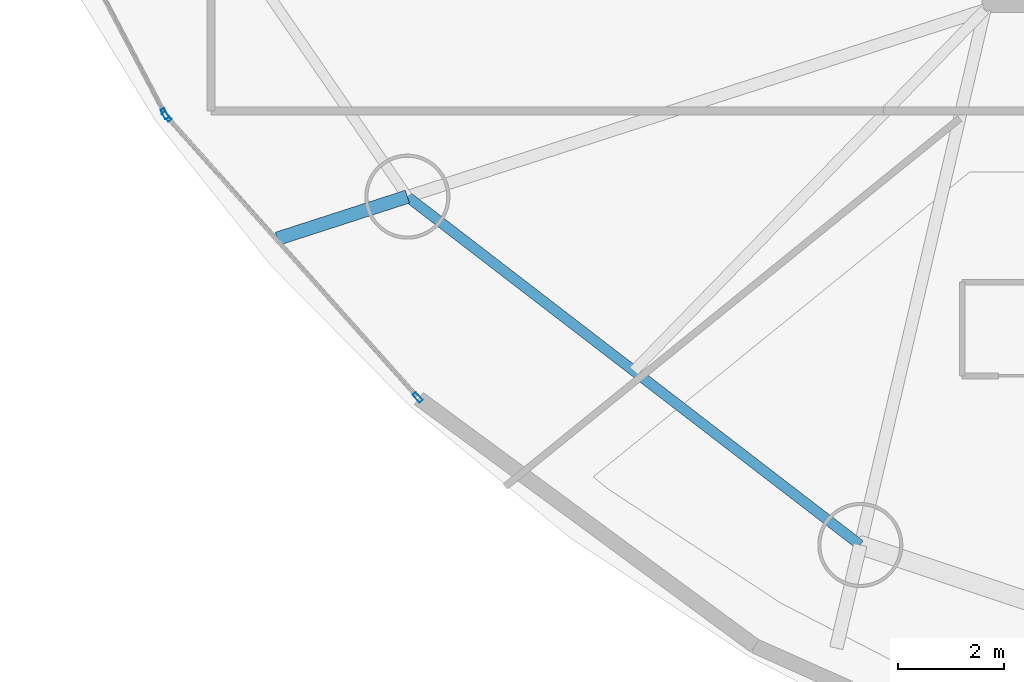
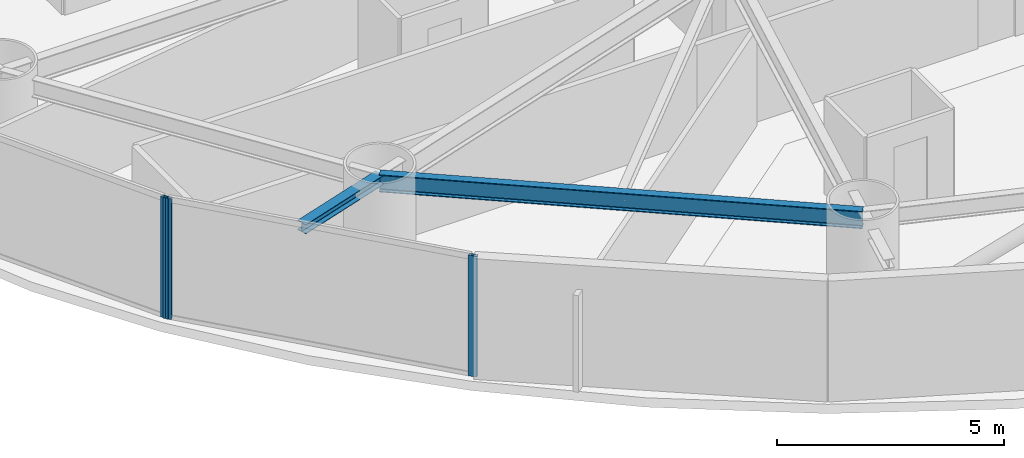
# One storey, part 2 of 25: 3 members, 2 beams, 2 elements without a shape of their own.
"""IFC4 building model written with IfcOpenShell, lengths in metres."""

from ifc_helpers import new_model, si_unit, direction, frame, origin, origin_2d, place, context, subcontext, project, spatial, hollow_rectangle, i_section, extrude, material, layer, layer_set, material_profile, profile_set, type_object, element, aggregate, save


model = new_model("IFC4")

# Units and contexts
model_context = context("Model", 3, precision=1e-05, world=origin(), true_north=direction((0.0, 1.0)))
body_context = subcontext(model_context, "Body", "Model", "MODEL_VIEW")
ifc_project = project(units=[si_unit("LENGTHUNIT", "METRE"), si_unit("AREAUNIT", "SQUARE_METRE"), si_unit("VOLUMEUNIT", "CUBIC_METRE"), si_unit("PLANEANGLEUNIT", "RADIAN"), si_unit("MASSUNIT", "GRAM", prefix="KILO")], contexts=[model_context])

# Site, building, storey
site_placement = place(None, origin())
site = spatial("IfcSite", under=ifc_project, at=site_placement, CompositionType="ELEMENT")
building_placement = place(site_placement, origin())
building = spatial("IfcBuilding", under=site, at=building_placement, Name="Bramvorn Convention Spire", CompositionType="ELEMENT")
storey_placement = place(building_placement, frame((0.0, 0.0, 48.39990234375)))
storey = spatial("IfcBuildingStorey", under=building, at=storey_placement, Name="L09", CompositionType="ELEMENT", Elevation=48.39990234375)

# Beams
ifc_material_1 = material(Name="Steel CSA G40.21 Grade 350 (350W)", Category="steel")
ifc_material_profile_1 = material_profile(ifc_material_1, i_section(OverallWidth=0.25390625, OverallDepth=0.2529296875, WebThickness=0.008544921875, FlangeThickness=0.01416015625, FilletRadius=0.011962890625, at=origin_2d()))
ifc_profile_set_1 = profile_set([ifc_material_profile_1], Name="Steel CSA G40.21 Grade 350 (350W) - W250X73")
beam_type_1 = type_object("IfcBeamType", Name="BM-W250X73", PredefinedType="BEAM", material=ifc_profile_set_1)
beam_1_placement = place(storey_placement, frame((15.894775390625, 15.039794921875, 3.108642578125), z_axis=(-0.951487086345, -0.307688681169, 0.0), x_axis=(0.307688681169, -0.951487086345, 0.0)))
element("IfcBeam", 1, at=beam_1_placement, inside=storey, type_object=beam_type_1, Name="L09 slab-edge cantilever tip beam MC11", PredefinedType="BEAM", context=body_context, shape_type="SweptSolid", body=[
    extrude(i_section(OverallWidth=0.25390625, OverallDepth=0.2529296875, WebThickness=0.008544921875, FlangeThickness=0.01416015625, FilletRadius=0.011962890625, at=origin_2d()), origin(), (0.0, 0.0, 1.0), 2.568359375),
])
ifc_material_profile_2 = material_profile(ifc_material_1, i_section(OverallWidth=0.194091796875, OverallDepth=0.468994140625, WebThickness=0.0126953125, FlangeThickness=0.0205078125, FilletRadius=0.01806640625, at=origin_2d()))
ifc_profile_set_2 = profile_set([ifc_material_profile_2], Name="Steel CSA G40.21 Grade 350 (350W) - W460X106")
beam_type_2 = type_object("IfcBeamType", Name="BM-W460X106", PredefinedType="SPANDREL", material=ifc_profile_set_2)
beam_2_placement = place(storey_placement, frame((15.894775390625, 15.039794921875, 3.015625), z_axis=(0.792672990445, -0.609647053809, 0.0), x_axis=(0.609647053809, 0.792672990445, 0.0)))
element("IfcBeam", 2, at=beam_2_placement, inside=storey, type_object=beam_type_2, Name="L09 mega-column ring beam 11", PredefinedType="SPANDREL", context=body_context, shape_type="SweptSolid", body=[
    extrude(i_section(OverallWidth=0.194091796875, OverallDepth=0.468994140625, WebThickness=0.0126953125, FlangeThickness=0.0205078125, FilletRadius=0.01806640625, at=origin_2d()), origin(), (0.0, 0.0, 1.0), 10.741943359375),
])

# Curtain wall, member
ifc_material_2 = material(Name="Anodised Bronze Unitised Curtain Wall", Category="aluminium")
ifc_layer = layer(ifc_material_2, 0.179931640625)
ifc_layer_set = layer_set([ifc_layer], Name="Anodised Bronze Unitised Curtain Wall - CW-HTL-FRIT")
curtain_wall_type = type_object("IfcCurtainWallType", Name="CW-HTL-FRIT", PredefinedType="USERDEFINED", material=ifc_layer_set)
curtain_wall_1_placement = place(storey_placement, origin())
curtain_wall_1 = element("IfcCurtainWall", 3, at=curtain_wall_1_placement, inside=storey, type_object=curtain_wall_type, Name="L09 fritted glass curtain wall 14", ObjectType="UNITISED CURTAIN WALL", PredefinedType="USERDEFINED")
ifc_material_3 = material(Name="Anodised Bronze Aluminium 6063-T6", Category="aluminium")
ifc_material_profile_3 = material_profile(ifc_material_3, hollow_rectangle(XDim=0.080078125, YDim=0.199951171875, WallThickness=0.00390625, InnerFilletRadius=0.0009765625, OuterFilletRadius=0.00390625, at=origin_2d()))
ifc_profile_set_3 = profile_set([ifc_material_profile_3], Name="Anodised Bronze Aluminium 6063-T6 - CWM80X200")
member_type = type_object("IfcMemberType", Name="CW-MUL-180", PredefinedType="MULLION", material=ifc_profile_set_3)
member_1_placement = place(storey_placement, frame((11.335205078125, 16.59765625, 0.0), z_axis=(0.0, 0.0, 1.0), x_axis=(-0.885628851521, -0.464393730959, 0.0)))
member_1 = element("IfcMember", 4, at=member_1_placement, type_object=member_type, Name="CW2 mullion 1", PredefinedType="MULLION", context=body_context, shape_type="SweptSolid", body=[
    extrude(hollow_rectangle(XDim=0.080078125, YDim=0.199951171875, WallThickness=0.00390625, InnerFilletRadius=0.0009765625, OuterFilletRadius=0.00390625, at=origin_2d()), origin(), (0.0, 0.0, 1.0), 3.25),
])
aggregate(curtain_wall_1, [member_1])

# Curtain wall, members
curtain_wall_2_placement = place(storey_placement, origin())
curtain_wall_2 = element("IfcCurtainWall", 5, at=curtain_wall_2_placement, inside=storey, type_object=curtain_wall_type, Name="L09 fritted glass curtain wall 15", ObjectType="UNITISED CURTAIN WALL", PredefinedType="USERDEFINED")
member_2_placement = place(storey_placement, frame((16.0888671875, 11.267578125, 0.0), z_axis=(0.0, 0.0, 1.0), x_axis=(-0.74562235605, -0.666368743384, 0.0)))
member_2 = element("IfcMember", 6, at=member_2_placement, type_object=member_type, Name="CW2 mullion 1", PredefinedType="MULLION", context=body_context, shape_type="SweptSolid", body=[
    extrude(hollow_rectangle(XDim=0.080078125, YDim=0.199951171875, WallThickness=0.00390625, InnerFilletRadius=0.0009765625, OuterFilletRadius=0.00390625, at=origin_2d()), origin(), (0.0, 0.0, 1.0), 3.25),
])
member_3_placement = place(storey_placement, frame((11.369140625, 16.548828125, 0.0), z_axis=(0.0, 0.0, 1.0), x_axis=(-0.74562235605, -0.666368743384, 0.0)))
member_3 = element("IfcMember", 7, at=member_3_placement, type_object=member_type, Name="CW2 mullion 2", PredefinedType="MULLION", context=body_context, shape_type="SweptSolid", body=[
    extrude(hollow_rectangle(XDim=0.080078125, YDim=0.199951171875, WallThickness=0.00390625, InnerFilletRadius=0.0009765625, OuterFilletRadius=0.00390625, at=origin_2d()), origin(), (0.0, 0.0, 1.0), 3.25),
])
aggregate(curtain_wall_2, [member_2, member_3])

save(model, "model.ifc")
